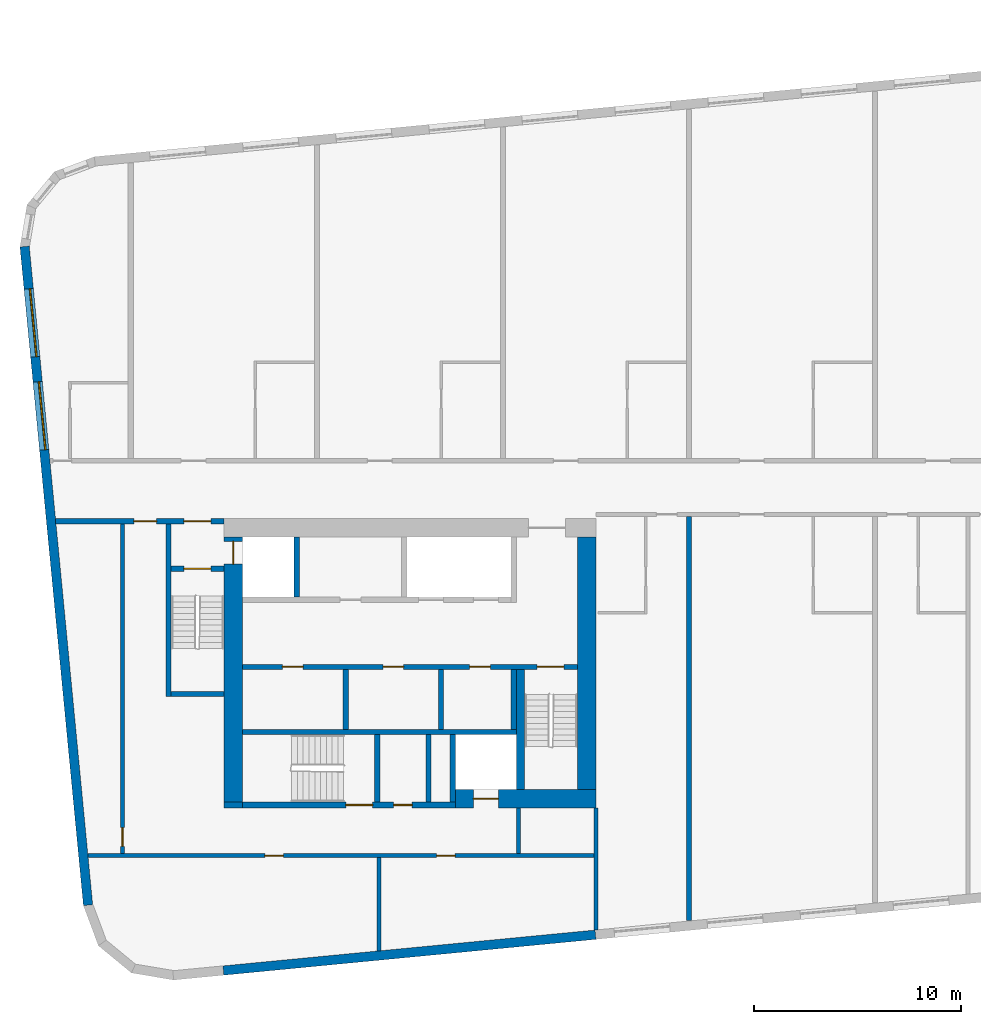
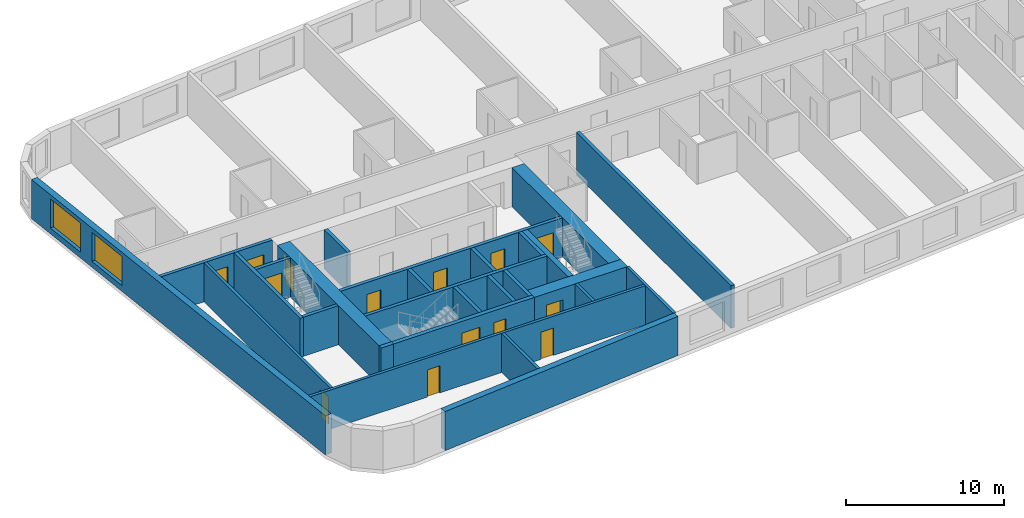
# One storey, part 2 of 11: 27 walls, 14 doors, 2 windows, 16 openings.
"""IFC4 building model written with IfcOpenShell, lengths in metres."""

from ifc_helpers import new_model, si_unit, direction, frame, frame_2d, origin, place, context, subcontext, project, spatial, rectangle, extrude, material, layer, layer_set, type_object, element, fill, save


model = new_model("IFC4")

# Units and contexts
model_context = context("Model", 3, precision=1e-05, world=origin(), true_north=direction((0.0, 1.0)))
body_context = subcontext(model_context, "Body", "Model", "MODEL_VIEW")
ifc_project = project(units=[si_unit("LENGTHUNIT", "METRE"), si_unit("AREAUNIT", "SQUARE_METRE"), si_unit("VOLUMEUNIT", "CUBIC_METRE"), si_unit("PLANEANGLEUNIT", "RADIAN"), si_unit("MASSUNIT", "GRAM", prefix="KILO")], contexts=[model_context])

# Site, building, storey
site_placement = place(None, origin())
site = spatial("IfcSite", under=ifc_project, at=site_placement, CompositionType="ELEMENT")
building_placement = place(site_placement, origin())
building = spatial("IfcBuilding", under=site, at=building_placement, Name="Kajstack Hotel Tower", CompositionType="ELEMENT")
storey_placement = place(building_placement, frame((0.0, 0.0, 281.699951171875)))
storey = spatial("IfcBuildingStorey", under=building, at=storey_placement, Name="L70", CompositionType="ELEMENT", Elevation=281.699951171875)

# Wall, opening, door
ifc_material_1 = material(Name="Concrete C60/75", Category="concrete")
ifc_layer_1 = layer(ifc_material_1, 0.89990234375)
ifc_layer_set_1 = layer_set([ifc_layer_1], Name="Core wall 900")
wall_type_1 = type_object("IfcWallType", Name="Core wall 900", PredefinedType="SHEAR", material=ifc_layer_set_1)
wall_1_placement = place(storey_placement, frame((-20.300048828125, -15.050048828125, 0.0), z_axis=(0.0, 0.0, 1.0), x_axis=(1.0, 0.0, 0.0)))
wall_1 = element("IfcWall", 1, at=wall_1_placement, inside=storey, type_object=wall_type_1, Name="Core wall W RS", PredefinedType="SHEAR", context=body_context, shape_type="SweptSolid", body=[
    extrude(rectangle(XDim=6.800048828125, YDim=0.89990234375, at=frame_2d((3.39990234375, 0.0))), origin(), (0.0, 0.0, 1.0), 3.02001953125),
])
opening_1_placement = place(wall_1_placement, frame((0.875, 0.0, 0.0)))
opening_1 = element("IfcOpeningElement", 2, at=opening_1_placement, cuts=wall_1, Name="Opening LD-SV1", PredefinedType="OPENING", context=body_context, shape_type="SweptSolid", body=[
    extrude(rectangle(XDim=1.199951171875, YDim=2.10009765625, at=frame_2d((0.60009765625, 1.050048828125))), frame((0.0, 0.4599609375, 0.0), z_axis=(0.0, -1.0, 0.0), x_axis=(1.0, 0.0, 0.0)), (0.0, 0.0, 1.0), 0.919921875),
])
ifc_material_2 = material(Name="Stainless steel", Category="steel")
door_type_1 = type_object("IfcDoorType", Name="Lift landing door 1200", OperationType="SLIDING_TO_LEFT", PredefinedType="DOOR", material=ifc_material_2)
door_1_placement = place(opening_1_placement, origin())
door_1 = element("IfcDoor", 3, at=door_1_placement, inside=storey, type_object=door_type_1, Name="Landing door SV1", OperationType="SLIDING_TO_LEFT", OverallHeight=2.10009765625, OverallWidth=1.199951171875, PredefinedType="DOOR", context=body_context, shape_type="SweptSolid", body=[
    extrude(rectangle(XDim=1.199951171875, YDim=2.10009765625, at=frame_2d((0.60009765625, 1.050048828125))), frame((0.0, 0.02490234375, 0.0), z_axis=(0.0, -1.0, 0.0), x_axis=(1.0, 0.0, 0.0)), (0.0, 0.0, 1.0), 0.050048828125),
])
fill(opening_1, door_1)

# Wall
wall_2_placement = place(storey_placement, frame((-31.5, -15.35009765625, 0.0), z_axis=(0.0, 0.0, 1.0), x_axis=(1.0, 0.0, 0.0)))
element("IfcWall", 4, at=wall_2_placement, inside=storey, type_object=wall_type_1, Name="Core wall W RSW", PredefinedType="SHEAR", context=body_context, shape_type="SweptSolid", body=[
    extrude(rectangle(XDim=0.89990234375, YDim=0.300048828125, at=frame_2d((0.449951171875, 0.0))), origin(), (0.0, 0.0, 1.0), 3.02001953125),
])

# Wall, opening, door
wall_3_placement = place(storey_placement, frame((-31.050048828125, -15.199951171875, 0.0), z_axis=(0.0, 0.0, 1.0), x_axis=(0.0, 1.0, 0.0)))
wall_3 = element("IfcWall", 5, at=wall_3_placement, inside=storey, type_object=wall_type_1, Name="Core wall W RW", PredefinedType="SHEAR", context=body_context, shape_type="SweptSolid", body=[
    extrude(rectangle(XDim=12.800048828125, YDim=0.89990234375, at=frame_2d((6.39990234375, 0.0))), origin(), (0.0, 0.0, 1.0), 3.02001953125),
])
opening_2_placement = place(wall_3_placement, frame((11.5, 0.0, 0.0)))
opening_2 = element("IfcOpeningElement", 6, at=opening_2_placement, cuts=wall_3, Name="Opening LD-FF1", PredefinedType="OPENING", context=body_context, shape_type="SweptSolid", body=[
    extrude(rectangle(XDim=1.10009765625, YDim=2.10009765625, at=frame_2d((0.550048828125, 1.050048828125))), frame((0.0, 0.4599609375, 0.0), z_axis=(0.0, -1.0, 0.0), x_axis=(1.0, 0.0, 0.0)), (0.0, 0.0, 1.0), 0.919921875),
])
door_type_2 = type_object("IfcDoorType", Name="Fire-fighting lift landing door 1100", OperationType="SLIDING_TO_LEFT", PredefinedType="DOOR", material=ifc_material_2)
door_2_placement = place(opening_2_placement, origin())
door_2 = element("IfcDoor", 7, at=door_2_placement, inside=storey, type_object=door_type_2, Name="Landing door FF1", OperationType="SLIDING_TO_RIGHT", OverallHeight=2.10009765625, OverallWidth=1.10009765625, PredefinedType="DOOR", context=body_context, shape_type="SweptSolid", body=[
    extrude(rectangle(XDim=1.10009765625, YDim=2.10009765625, at=frame_2d((0.550048828125, 1.050048828125))), frame((0.0, 0.02490234375, 0.0), z_axis=(0.0, -1.0, 0.0), x_axis=(1.0, 0.0, 0.0)), (0.0, 0.0, 1.0), 0.050048828125),
])
fill(opening_2, door_2)

# Walls
wall_4_placement = place(storey_placement, frame((-13.949951171875, -14.60009765625, 0.0), z_axis=(0.0, 0.0, 1.0), x_axis=(0.0, 1.0, 0.0)))
element("IfcWall", 8, at=wall_4_placement, inside=storey, type_object=wall_type_1, Name="Core wall W RE", PredefinedType="SHEAR", context=body_context, shape_type="SweptSolid", body=[
    extrude(rectangle(XDim=12.2001953125, YDim=0.89990234375, at=frame_2d((6.10009765625, 0.0))), origin(), (0.0, 0.0, 1.0), 3.02001953125),
])
ifc_material_3 = material(Name="Twin-frame gypsum board on steel studs, mineral wool", Category="steel")
ifc_layer_2 = layer(ifc_material_3, 0.199951171875)
ifc_layer_set_2 = layer_set([ifc_layer_2], Name="Demising wall 200")
wall_type_2 = type_object("IfcWallType", Name="Demising wall 200", PredefinedType="PARTITIONING", material=ifc_layer_set_2)
wall_5_placement = place(storey_placement, frame((-13.5, -21.39599609375, 0.0), z_axis=(0.0, 0.0, 1.0), x_axis=(0.0, 1.0, 0.0)))
element("IfcWall", 9, at=wall_5_placement, inside=storey, type_object=wall_type_2, Name="G-wall-L70-002", PredefinedType="PARTITIONING", context=body_context, shape_type="SweptSolid", body=[
    extrude(rectangle(XDim=5.89599609375, YDim=0.199951171875, at=frame_2d((2.947998046875, 0.0))), origin(), (0.0, 0.0, 1.0), 3.02001953125),
])
ifc_material_4 = material(Name="Concrete C40/50", Category="concrete")
ifc_layer_3 = layer(ifc_material_4, 0.449951171875)
ifc_layer_set_3 = layer_set([ifc_layer_3], Name="EW-CORE")
wall_type_3 = type_object("IfcWallType", Name="EW-CORE", PredefinedType="SOLIDWALL", material=ifc_layer_set_3)
wall_6_placement = place(storey_placement, frame((-31.521484375, -23.357177734375, 0.0), z_axis=(0.0, 0.0, 1.0), x_axis=(0.995396454615, 0.095843091245, 0.0)))
element("IfcWall", 10, at=wall_6_placement, inside=storey, type_object=wall_type_3, Name="E-wall-L70-04-01", PredefinedType="SOLIDWALL", context=body_context, shape_type="SweptSolid", body=[
    extrude(rectangle(XDim=18.083251953125, YDim=0.449951171875, at=frame_2d((9.04150390625, 0.0))), origin(), (0.0, 0.0, 1.0), 3.02001953125),
])

# Wall, openings, windows
ifc_material_5 = material(Name="Terracotta-faced brick masonry", Category="masonry")
ifc_layer_4 = layer(ifc_material_5, 0.449951171875)
ifc_layer_set_4 = layer_set([ifc_layer_4], Name="EW-TERRA")
wall_type_4 = type_object("IfcWallType", Name="EW-TERRA", PredefinedType="SOLIDWALL", material=ifc_layer_set_4)
wall_7_placement = place(storey_placement, frame((-41.13232421875, 11.657958984375, 0.0), z_axis=(0.0, 0.0, 1.0), x_axis=(0.095847749461, -0.995396006082, 0.0)))
wall_7 = element("IfcWall", 11, at=wall_7_placement, inside=storey, type_object=wall_type_4, Name="E-wall-L70-00-00", PredefinedType="SOLIDWALL", context=body_context, shape_type="SweptSolid", body=[
    extrude(rectangle(XDim=32.0, YDim=0.449951171875, at=frame_2d((16.0, 0.0))), origin(), (0.0, 0.0, 1.0), 3.02001953125),
])
opening_3_placement = place(wall_7_placement, frame((2.053466796875, 0.0, 0.449951171875)))
opening_3 = element("IfcOpeningElement", 12, at=opening_3_placement, cuts=wall_7, Name="Opening W2", PredefinedType="OPENING", context=body_context, shape_type="SweptSolid", body=[
    extrude(rectangle(XDim=3.300048828125, YDim=2.25, at=frame_2d((1.64990234375, 1.125))), frame((0.0, 0.23486328125, 0.0), z_axis=(0.0, -1.0, 0.0), x_axis=(1.0, 0.0, 0.0)), (0.0, 0.0, 1.0), 0.469970703125),
])
opening_4_placement = place(wall_7_placement, frame((6.57421875, 0.0, 0.449951171875)))
opening_4 = element("IfcOpeningElement", 13, at=opening_4_placement, cuts=wall_7, Name="Opening W2", PredefinedType="OPENING", context=body_context, shape_type="SweptSolid", body=[
    extrude(rectangle(XDim=3.300048828125, YDim=2.25, at=frame_2d((1.64990234375, 1.125))), frame((0.0, 0.23486328125, 0.0), z_axis=(0.0, -1.0, 0.0), x_axis=(1.0, 0.0, 0.0)), (0.0, 0.0, 1.0), 0.469970703125),
])
ifc_material_6 = material(Name="Timber-aluminium window, triple glazed", Category="wood")
window_type = type_object("IfcWindowType", Name="WG2", PartitioningType="SINGLE_PANEL", PredefinedType="WINDOW", material=ifc_material_6)
window_1_placement = place(opening_3_placement, origin())
window_1 = element("IfcWindow", 14, at=window_1_placement, inside=storey, type_object=window_type, Name="Window W2 L70-00", OverallHeight=2.25, OverallWidth=3.300048828125, PartitioningType="SINGLE_PANEL", PredefinedType="WINDOW", context=body_context, shape_type="SweptSolid", body=[
    extrude(rectangle(XDim=3.300048828125, YDim=2.25, at=frame_2d((1.64990234375, 1.125))), frame((0.0, 0.090087890625, 0.0), z_axis=(0.0, -1.0, 0.0), x_axis=(1.0, 0.0, 0.0)), (0.0, 0.0, 1.0), 0.06005859375),
])
fill(opening_3, window_1)
window_2_placement = place(opening_4_placement, origin())
window_2 = element("IfcWindow", 15, at=window_2_placement, inside=storey, type_object=window_type, Name="Window W2 L70-00", OverallHeight=2.25, OverallWidth=3.300048828125, PartitioningType="SINGLE_PANEL", PredefinedType="WINDOW", context=body_context, shape_type="SweptSolid", body=[
    extrude(rectangle(XDim=3.300048828125, YDim=2.25, at=frame_2d((1.64990234375, 1.125))), frame((0.0, 0.090087890625, 0.0), z_axis=(0.0, -1.0, 0.0), x_axis=(1.0, 0.0, 0.0)), (0.0, 0.0, 1.0), 0.06005859375),
])
fill(opening_4, window_2)

# Walls
ifc_layer_5 = layer(ifc_material_4, 0.25)
ifc_layer_set_5 = layer_set([ifc_layer_5], Name="RC cross wall 250 C40/50")
wall_type_5 = type_object("IfcWallType", Name="RC cross wall 250 C40/50", PredefinedType="SHEAR", material=ifc_layer_set_5)
wall_8_placement = place(storey_placement, frame((-9.0, -20.9404296875, 0.0), z_axis=(0.0, 0.0, 1.0), x_axis=(0.0, 1.0, 0.0)))
element("IfcWall", 16, at=wall_8_placement, inside=storey, type_object=wall_type_5, Name="S-wall-L70-04", PredefinedType="SHEAR", context=body_context, shape_type="SweptSolid", body=[
    extrude(rectangle(XDim=19.54052734375, YDim=0.25, at=frame_2d((9.770263671875, 0.0))), origin(), (0.0, 0.0, 1.0), 3.300048828125),
])
ifc_material_7 = material(Name="Concrete block masonry", Category="masonry")
ifc_layer_6 = layer(ifc_material_7, 0.25)
ifc_layer_set_6 = layer_set([ifc_layer_6], Name="Riser partition 250")
wall_type_6 = type_object("IfcWallType", Name="Riser partition 250", PredefinedType="PARTITIONING", material=ifc_layer_set_6)
for number, where, z_axis, x_axis, name in (
    (17, (-25.60009765625, -11.699951171875, 0.0), (0.0, 0.0, 1.0), (0.0, 1.0, 0.0), "Partition W BF0"),
    (18, (-21.0, -11.699951171875, 0.0), (0.0, 0.0, 1.0), (0.0, 1.0, 0.0), "Partition W BF1"),
):
    element("IfcWall", number, at=place(storey_placement, frame(where, z_axis=z_axis, x_axis=x_axis)), inside=storey, type_object=wall_type_6, Name=name, PredefinedType="PARTITIONING", context=body_context, shape_type="SweptSolid", body=[
        extrude(rectangle(XDim=2.89990234375, YDim=0.25, at=frame_2d((1.449951171875, 0.0))), origin(), (0.0, 0.0, 1.0), 3.02001953125),
    ])
wall_9_placement = place(storey_placement, frame((-21.60009765625, -15.199951171875, 0.0), z_axis=(0.0, 0.0, 1.0), x_axis=(0.0, 1.0, 0.0)))
element("IfcWall", 19, at=wall_9_placement, inside=storey, type_object=wall_type_6, Name="Partition W SZ0", PredefinedType="PARTITIONING", context=body_context, shape_type="SweptSolid", body=[
    extrude(rectangle(XDim=3.25, YDim=0.25, at=frame_2d((1.625, 0.0))), origin(), (0.0, 0.0, 1.0), 3.02001953125),
])

# Wall, openings, doors
ifc_material_8 = material(Name="Gypsum board on steel studs, mineral wool", Category="steel")
ifc_layer_7 = layer(ifc_material_8, 0.199951171875)
ifc_layer_set_7 = layer_set([ifc_layer_7], Name="Service partition 200")
wall_type_7 = type_object("IfcWallType", Name="Service partition 200", PredefinedType="PARTITIONING", material=ifc_layer_set_7)
wall_10_placement = place(storey_placement, frame((-39.627197265625, -1.625, 0.0), z_axis=(0.0, 0.0, 1.0), x_axis=(1.0, 0.0, 0.0)))
wall_10 = element("IfcWall", 20, at=wall_10_placement, inside=storey, type_object=wall_type_7, Name="Partition W SN", PredefinedType="PARTITIONING", context=body_context, shape_type="SweptSolid", body=[
    extrude(rectangle(XDim=8.127197265625, YDim=0.25, at=frame_2d((4.0634765625, 0.0))), origin(), (0.0, 0.0, 1.0), 3.02001953125),
])
opening_5_placement = place(wall_10_placement, frame((6.202392578125, 0.0, 0.0)))
opening_5 = element("IfcOpeningElement", 21, at=opening_5_placement, cuts=wall_10, Name="Opening 70W06", PredefinedType="OPENING", context=body_context, shape_type="SweptSolid", body=[
    extrude(rectangle(XDim=1.300048828125, YDim=2.10009765625, at=frame_2d((0.64990234375, 1.050048828125))), frame((0.0, 0.135009765625, 0.0), z_axis=(0.0, -1.0, 0.0), x_axis=(1.0, 0.0, 0.0)), (0.0, 0.0, 1.0), 0.27001953125),
])
opening_6_placement = place(wall_10_placement, frame((3.77734375, 0.0, 0.0)))
opening_6 = element("IfcOpeningElement", 22, at=opening_6_placement, cuts=wall_10, Name="Opening 70W08", PredefinedType="OPENING", context=body_context, shape_type="SweptSolid", body=[
    extrude(rectangle(XDim=1.10009765625, YDim=2.10009765625, at=frame_2d((0.550048828125, 1.050048828125))), frame((0.0, 0.135009765625, 0.0), z_axis=(0.0, -1.0, 0.0), x_axis=(1.0, 0.0, 0.0)), (0.0, 0.0, 1.0), 0.27001953125),
])
ifc_material_9 = material(Name="Steel leaf, fire-rated", Category="steel")
door_type_3 = type_object("IfcDoorType", Name="Fire lobby door 1300", OperationType="SINGLE_SWING_LEFT", PredefinedType="DOOR", material=ifc_material_9)
door_3_placement = place(opening_5_placement, origin())
door_3 = element("IfcDoor", 23, at=door_3_placement, inside=storey, type_object=door_type_3, Name="Door 70W06", OperationType="SINGLE_SWING_RIGHT", OverallHeight=2.10009765625, OverallWidth=1.300048828125, PredefinedType="DOOR", context=body_context, shape_type="SweptSolid", body=[
    extrude(rectangle(XDim=1.300048828125, YDim=2.10009765625, at=frame_2d((0.64990234375, 1.050048828125))), frame((0.0, 0.02490234375, 0.0), z_axis=(0.0, -1.0, 0.0), x_axis=(1.0, 0.0, 0.0)), (0.0, 0.0, 1.0), 0.050048828125),
])
fill(opening_5, door_3)
ifc_material_10 = material(Name="Timber leaf, fire-rated", Category="wood")
door_type_4 = type_object("IfcDoorType", Name="Service corridor door 1100", OperationType="SINGLE_SWING_LEFT", PredefinedType="DOOR", material=ifc_material_10)
door_4_placement = place(opening_6_placement, origin())
door_4 = element("IfcDoor", 24, at=door_4_placement, inside=storey, type_object=door_type_4, Name="Door 70W08", OperationType="SINGLE_SWING_RIGHT", OverallHeight=2.10009765625, OverallWidth=1.10009765625, PredefinedType="DOOR", context=body_context, shape_type="SweptSolid", body=[
    extrude(rectangle(XDim=1.10009765625, YDim=2.10009765625, at=frame_2d((0.550048828125, 1.050048828125))), frame((0.0, 0.02490234375, 0.0), z_axis=(0.0, -1.0, 0.0), x_axis=(1.0, 0.0, 0.0)), (0.0, 0.0, 1.0), 0.050048828125),
])
fill(opening_6, door_4)

# Wall
wall_11_placement = place(storey_placement, frame((-17.25, -17.699951171875, 0.0), z_axis=(0.0, 0.0, 1.0), x_axis=(0.0, 1.0, 0.0)))
element("IfcWall", 25, at=wall_11_placement, inside=storey, type_object=wall_type_7, Name="Partition W SCE", PredefinedType="PARTITIONING", context=body_context, shape_type="SweptSolid", body=[
    extrude(rectangle(XDim=2.199951171875, YDim=0.199951171875, at=frame_2d((1.10009765625, 0.0))), origin(), (0.0, 0.0, 1.0), 3.02001953125),
])

# Wall, opening, door
wall_12_placement = place(storey_placement, frame((-36.39990234375, -17.699951171875, 0.0), z_axis=(0.0, 0.0, 1.0), x_axis=(0.0, 1.0, 0.0)))
wall_12 = element("IfcWall", 26, at=wall_12_placement, inside=storey, type_object=wall_type_7, Name="Partition W WRE", PredefinedType="PARTITIONING", context=body_context, shape_type="SweptSolid", body=[
    extrude(rectangle(XDim=15.949951171875, YDim=0.199951171875, at=frame_2d((7.97509765625, 0.0))), origin(), (0.0, 0.0, 1.0), 3.02001953125),
])
opening_7_placement = place(wall_12_placement, frame((0.35009765625, 0.0, 0.0)))
opening_7 = element("IfcOpeningElement", 27, at=opening_7_placement, cuts=wall_12, Name="Opening 70W18", PredefinedType="OPENING", context=body_context, shape_type="SweptSolid", body=[
    extrude(rectangle(XDim=0.89990234375, YDim=2.10009765625, at=frame_2d((0.449951171875, 1.050048828125))), frame((0.0, 0.10986328125, 0.0), z_axis=(0.0, -1.0, 0.0), x_axis=(1.0, 0.0, 0.0)), (0.0, 0.0, 1.0), 0.219970703125),
])
door_type_5 = type_object("IfcDoorType", Name="Service door 900", OperationType="SINGLE_SWING_LEFT", PredefinedType="DOOR", material=ifc_material_10)
door_5_placement = place(opening_7_placement, origin())
door_5 = element("IfcDoor", 28, at=door_5_placement, inside=storey, type_object=door_type_5, Name="Door 70W18", OperationType="SINGLE_SWING_LEFT", OverallHeight=2.10009765625, OverallWidth=0.89990234375, PredefinedType="DOOR", context=body_context, shape_type="SweptSolid", body=[
    extrude(rectangle(XDim=0.89990234375, YDim=2.10009765625, at=frame_2d((0.449951171875, 1.050048828125))), frame((0.0, 0.02490234375, 0.0), z_axis=(0.0, -1.0, 0.0), x_axis=(1.0, 0.0, 0.0)), (0.0, 0.0, 1.0), 0.050048828125),
])
fill(opening_7, door_5)

# Wall, openings, doors
wall_13_placement = place(storey_placement, frame((-38.06982421875, -17.800048828125, 0.0), z_axis=(0.0, 0.0, 1.0), x_axis=(1.0, 0.0, 0.0)))
wall_13 = element("IfcWall", 29, at=wall_13_placement, inside=storey, type_object=wall_type_7, Name="Partition W SLN", PredefinedType="PARTITIONING", context=body_context, shape_type="SweptSolid", body=[
    extrude(rectangle(XDim=24.4697265625, YDim=0.199951171875, at=frame_2d((12.23486328125, 0.0))), origin(), (0.0, 0.0, 1.0), 3.02001953125),
])
opening_8_placement = place(wall_13_placement, frame((8.557373046875, 0.0, 0.0)))
opening_8 = element("IfcOpeningElement", 30, at=opening_8_placement, cuts=wall_13, Name="Opening 70W16", PredefinedType="OPENING", context=body_context, shape_type="SweptSolid", body=[
    extrude(rectangle(XDim=0.89990234375, YDim=2.10009765625, at=frame_2d((0.449951171875, 1.050048828125))), frame((0.0, 0.10986328125, 0.0), z_axis=(0.0, -1.0, 0.0), x_axis=(1.0, 0.0, 0.0)), (0.0, 0.0, 1.0), 0.219970703125),
])
opening_9_placement = place(wall_13_placement, frame((16.857421875, 0.0, 0.0)))
opening_9 = element("IfcOpeningElement", 31, at=opening_9_placement, cuts=wall_13, Name="Opening 70W17", PredefinedType="OPENING", context=body_context, shape_type="SweptSolid", body=[
    extrude(rectangle(XDim=0.89990234375, YDim=2.10009765625, at=frame_2d((0.449951171875, 1.050048828125))), frame((0.0, 0.10986328125, 0.0), z_axis=(0.0, -1.0, 0.0), x_axis=(1.0, 0.0, 0.0)), (0.0, 0.0, 1.0), 0.219970703125),
])
door_6_placement = place(opening_8_placement, origin())
door_6 = element("IfcDoor", 32, at=door_6_placement, inside=storey, type_object=door_type_5, Name="Door 70W16", OperationType="SINGLE_SWING_RIGHT", OverallHeight=2.10009765625, OverallWidth=0.89990234375, PredefinedType="DOOR", context=body_context, shape_type="SweptSolid", body=[
    extrude(rectangle(XDim=0.89990234375, YDim=2.10009765625, at=frame_2d((0.449951171875, 1.050048828125))), frame((0.0, 0.02490234375, 0.0), z_axis=(0.0, -1.0, 0.0), x_axis=(1.0, 0.0, 0.0)), (0.0, 0.0, 1.0), 0.050048828125),
])
fill(opening_8, door_6)
door_7_placement = place(opening_9_placement, origin())
door_7 = element("IfcDoor", 33, at=door_7_placement, inside=storey, type_object=door_type_5, Name="Door 70W17", OperationType="SINGLE_SWING_RIGHT", OverallHeight=2.10009765625, OverallWidth=0.89990234375, PredefinedType="DOOR", context=body_context, shape_type="SweptSolid", body=[
    extrude(rectangle(XDim=0.89990234375, YDim=2.10009765625, at=frame_2d((0.449951171875, 1.050048828125))), frame((0.0, 0.02490234375, 0.0), z_axis=(0.0, -1.0, 0.0), x_axis=(1.0, 0.0, 0.0)), (0.0, 0.0, 1.0), 0.050048828125),
])
fill(opening_9, door_7)

# Wall
wall_14_placement = place(storey_placement, frame((-24.0, -22.407958984375, 0.0), z_axis=(0.0, 0.0, 1.0), x_axis=(0.0, 1.0, 0.0)))
element("IfcWall", 34, at=wall_14_placement, inside=storey, type_object=wall_type_7, Name="Partition W SLP0", PredefinedType="PARTITIONING", context=body_context, shape_type="SweptSolid", body=[
    extrude(rectangle(XDim=4.508056640625, YDim=0.199951171875, at=frame_2d((2.25390625, 0.0))), origin(), (0.0, 0.0, 1.0), 3.02001953125),
])

# Wall, openings, doors
ifc_material_11 = material(Name="Concrete C50/60", Category="concrete")
ifc_layer_8 = layer(ifc_material_11, 0.25)
ifc_layer_set_8 = layer_set([ifc_layer_8], Name="Shaft wall 250")
wall_type_8 = type_object("IfcWallType", Name="Shaft wall 250", PredefinedType="SHEAR", material=ifc_layer_set_8)
wall_15_placement = place(storey_placement, frame((-30.60009765625, -15.35009765625, 0.0), z_axis=(0.0, 0.0, 1.0), x_axis=(1.0, 0.0, 0.0)))
wall_15 = element("IfcWall", 35, at=wall_15_placement, inside=storey, type_object=wall_type_8, Name="Core wall W RSS", PredefinedType="SHEAR", context=body_context, shape_type="SweptSolid", body=[
    extrude(rectangle(XDim=10.300048828125, YDim=0.300048828125, at=frame_2d((5.14990234375, 0.0))), origin(), (0.0, 0.0, 1.0), 3.02001953125),
])
opening_10_placement = place(wall_15_placement, frame((5.0, 0.0, 0.0)))
opening_10 = element("IfcOpeningElement", 36, at=opening_10_placement, cuts=wall_15, Name="Opening 70W10", PredefinedType="OPENING", context=body_context, shape_type="SweptSolid", body=[
    extrude(rectangle(XDim=1.300048828125, YDim=2.10009765625, at=frame_2d((0.64990234375, 1.050048828125))), frame((0.0, 0.159912109375, 0.0), z_axis=(0.0, -1.0, 0.0), x_axis=(1.0, 0.0, 0.0)), (0.0, 0.0, 1.0), 0.320068359375),
])
opening_11_placement = place(wall_15_placement, frame((7.3125, 0.0, 0.0)))
opening_11 = element("IfcOpeningElement", 37, at=opening_11_placement, cuts=wall_15, Name="Opening 70W11", PredefinedType="OPENING", context=body_context, shape_type="SweptSolid", body=[
    extrude(rectangle(XDim=0.89990234375, YDim=2.10009765625, at=frame_2d((0.449951171875, 1.050048828125))), frame((0.0, 0.159912109375, 0.0), z_axis=(0.0, -1.0, 0.0), x_axis=(1.0, 0.0, 0.0)), (0.0, 0.0, 1.0), 0.320068359375),
])
door_8_placement = place(opening_11_placement, origin())
door_8 = element("IfcDoor", 38, at=door_8_placement, inside=storey, type_object=door_type_5, Name="Door 70W11", OperationType="SINGLE_SWING_LEFT", OverallHeight=2.10009765625, OverallWidth=0.89990234375, PredefinedType="DOOR", context=body_context, shape_type="SweptSolid", body=[
    extrude(rectangle(XDim=0.89990234375, YDim=2.10009765625, at=frame_2d((0.449951171875, 1.050048828125))), frame((0.0, 0.02490234375, 0.0), z_axis=(0.0, -1.0, 0.0), x_axis=(1.0, 0.0, 0.0)), (0.0, 0.0, 1.0), 0.050048828125),
])
fill(opening_11, door_8)
door_type_6 = type_object("IfcDoorType", Name="Stair door 1300", OperationType="SINGLE_SWING_LEFT", PredefinedType="DOOR", material=ifc_material_9)
door_9_placement = place(opening_10_placement, origin())
door_9 = element("IfcDoor", 39, at=door_9_placement, inside=storey, type_object=door_type_6, Name="Door 70W10", OperationType="SINGLE_SWING_RIGHT", OverallHeight=2.10009765625, OverallWidth=1.300048828125, PredefinedType="DOOR", context=body_context, shape_type="SweptSolid", body=[
    extrude(rectangle(XDim=1.300048828125, YDim=2.10009765625, at=frame_2d((0.64990234375, 1.050048828125))), frame((0.0, 0.02490234375, 0.0), z_axis=(0.0, -1.0, 0.0), x_axis=(1.0, 0.0, 0.0)), (0.0, 0.0, 1.0), 0.050048828125),
])
fill(opening_10, door_9)

# Wall
wall_16_placement = place(storey_placement, frame((-27.97509765625, -5.300048828125, 0.0), z_axis=(0.0, 0.0, 1.0), x_axis=(0.0, 1.0, 0.0)))
element("IfcWall", 40, at=wall_16_placement, inside=storey, type_object=wall_type_8, Name="Core wall W AP0", PredefinedType="SHEAR", context=body_context, shape_type="SweptSolid", body=[
    extrude(rectangle(XDim=2.900146484375, YDim=0.25, at=frame_2d((1.4501953125, 0.0))), origin(), (0.0, 0.0, 1.0), 3.02001953125),
])

# Wall, openings, doors
wall_17_placement = place(storey_placement, frame((-30.60009765625, -8.675048828125, 0.0), z_axis=(0.0, 0.0, 1.0), x_axis=(1.0, 0.0, 0.0)))
wall_17 = element("IfcWall", 41, at=wall_17_placement, inside=storey, type_object=wall_type_8, Name="Core wall W FB", PredefinedType="SHEAR", context=body_context, shape_type="SweptSolid", body=[
    extrude(rectangle(XDim=16.2001953125, YDim=0.25, at=frame_2d((8.10009765625, 0.0))), origin(), (0.0, 0.0, 1.0), 3.02001953125),
])
opening_12_placement = place(wall_17_placement, frame((14.25, 0.0, 0.0)))
opening_12 = element("IfcOpeningElement", 42, at=opening_12_placement, cuts=wall_17, Name="Opening 70W09", PredefinedType="OPENING", context=body_context, shape_type="SweptSolid", body=[
    extrude(rectangle(XDim=1.300048828125, YDim=2.10009765625, at=frame_2d((0.64990234375, 1.050048828125))), frame((0.0, 0.135009765625, 0.0), z_axis=(0.0, -1.0, 0.0), x_axis=(1.0, 0.0, 0.0)), (0.0, 0.0, 1.0), 0.27001953125),
])
opening_13_placement = place(wall_17_placement, frame((1.9375, 0.0, 0.0)))
opening_13 = element("IfcOpeningElement", 43, at=opening_13_placement, cuts=wall_17, Name="Opening 70W12", PredefinedType="OPENING", context=body_context, shape_type="SweptSolid", body=[
    extrude(rectangle(XDim=1.0, YDim=2.10009765625, at=frame_2d((0.5, 1.050048828125))), frame((0.0, 0.135009765625, 0.0), z_axis=(0.0, -1.0, 0.0), x_axis=(1.0, 0.0, 0.0)), (0.0, 0.0, 1.0), 0.27001953125),
])
opening_14_placement = place(wall_17_placement, frame((6.800048828125, 0.0, 0.0)))
opening_14 = element("IfcOpeningElement", 44, at=opening_14_placement, cuts=wall_17, Name="Opening 70W13", PredefinedType="OPENING", context=body_context, shape_type="SweptSolid", body=[
    extrude(rectangle(XDim=1.0, YDim=2.10009765625, at=frame_2d((0.5, 1.050048828125))), frame((0.0, 0.135009765625, 0.0), z_axis=(0.0, -1.0, 0.0), x_axis=(1.0, 0.0, 0.0)), (0.0, 0.0, 1.0), 0.27001953125),
])
opening_15_placement = place(wall_17_placement, frame((10.987548828125, 0.0, 0.0)))
opening_15 = element("IfcOpeningElement", 45, at=opening_15_placement, cuts=wall_17, Name="Opening 70W14", PredefinedType="OPENING", context=body_context, shape_type="SweptSolid", body=[
    extrude(rectangle(XDim=1.0, YDim=2.10009765625, at=frame_2d((0.5, 1.050048828125))), frame((0.0, 0.135009765625, 0.0), z_axis=(0.0, -1.0, 0.0), x_axis=(1.0, 0.0, 0.0)), (0.0, 0.0, 1.0), 0.27001953125),
])
door_type_7 = type_object("IfcDoorType", Name="Service room door 1000", OperationType="SINGLE_SWING_LEFT", PredefinedType="DOOR", material=ifc_material_10)
door_10_placement = place(opening_13_placement, origin())
door_10 = element("IfcDoor", 46, at=door_10_placement, inside=storey, type_object=door_type_7, Name="Door 70W12", OperationType="SINGLE_SWING_RIGHT", OverallHeight=2.10009765625, OverallWidth=1.0, PredefinedType="DOOR", context=body_context, shape_type="SweptSolid", body=[
    extrude(rectangle(XDim=1.0, YDim=2.10009765625, at=frame_2d((0.5, 1.050048828125))), frame((0.0, 0.02490234375, 0.0), z_axis=(0.0, -1.0, 0.0), x_axis=(1.0, 0.0, 0.0)), (0.0, 0.0, 1.0), 0.050048828125),
])
fill(opening_13, door_10)
door_11_placement = place(opening_14_placement, origin())
door_11 = element("IfcDoor", 47, at=door_11_placement, inside=storey, type_object=door_type_7, Name="Door 70W13", OperationType="SINGLE_SWING_RIGHT", OverallHeight=2.10009765625, OverallWidth=1.0, PredefinedType="DOOR", context=body_context, shape_type="SweptSolid", body=[
    extrude(rectangle(XDim=1.0, YDim=2.10009765625, at=frame_2d((0.5, 1.050048828125))), frame((0.0, 0.02490234375, 0.0), z_axis=(0.0, -1.0, 0.0), x_axis=(1.0, 0.0, 0.0)), (0.0, 0.0, 1.0), 0.050048828125),
])
fill(opening_14, door_11)
door_12_placement = place(opening_15_placement, origin())
door_12 = element("IfcDoor", 48, at=door_12_placement, inside=storey, type_object=door_type_7, Name="Door 70W14", OperationType="SINGLE_SWING_RIGHT", OverallHeight=2.10009765625, OverallWidth=1.0, PredefinedType="DOOR", context=body_context, shape_type="SweptSolid", body=[
    extrude(rectangle(XDim=1.0, YDim=2.10009765625, at=frame_2d((0.5, 1.050048828125))), frame((0.0, 0.02490234375, 0.0), z_axis=(0.0, -1.0, 0.0), x_axis=(1.0, 0.0, 0.0)), (0.0, 0.0, 1.0), 0.050048828125),
])
fill(opening_15, door_12)
door_13_placement = place(opening_12_placement, origin())
door_13 = element("IfcDoor", 49, at=door_13_placement, inside=storey, type_object=door_type_6, Name="Door 70W09", OperationType="SINGLE_SWING_RIGHT", OverallHeight=2.10009765625, OverallWidth=1.300048828125, PredefinedType="DOOR", context=body_context, shape_type="SweptSolid", body=[
    extrude(rectangle(XDim=1.300048828125, YDim=2.10009765625, at=frame_2d((0.64990234375, 1.050048828125))), frame((0.0, 0.02490234375, 0.0), z_axis=(0.0, -1.0, 0.0), x_axis=(1.0, 0.0, 0.0)), (0.0, 0.0, 1.0), 0.050048828125),
])
fill(opening_12, door_13)

# Walls
wall_18_placement = place(storey_placement, frame((-30.60009765625, -11.824951171875, 0.0), z_axis=(0.0, 0.0, 1.0), x_axis=(1.0, 0.0, 0.0)))
element("IfcWall", 50, at=wall_18_placement, inside=storey, type_object=wall_type_8, Name="Core wall W RB", PredefinedType="SHEAR", context=body_context, shape_type="SweptSolid", body=[
    extrude(rectangle(XDim=13.25, YDim=0.25, at=frame_2d((6.625, 0.0))), origin(), (0.0, 0.0, 1.0), 3.02001953125),
])
wall_19_placement = place(storey_placement, frame((-17.47509765625, -11.699951171875, 0.0), z_axis=(0.0, 0.0, 1.0), x_axis=(0.0, 1.0, 0.0)))
element("IfcWall", 51, at=wall_19_placement, inside=storey, type_object=wall_type_8, Name="Core wall W BE", PredefinedType="SHEAR", context=body_context, shape_type="SweptSolid", body=[
    extrude(rectangle(XDim=2.89990234375, YDim=0.25, at=frame_2d((1.449951171875, 0.0))), origin(), (0.0, 0.0, 1.0), 3.02001953125),
])
wall_20_placement = place(storey_placement, frame((-20.425048828125, -15.199951171875, 0.0), z_axis=(0.0, 0.0, 1.0), x_axis=(0.0, 1.0, 0.0)))
element("IfcWall", 52, at=wall_20_placement, inside=storey, type_object=wall_type_8, Name="Core wall W SVW", PredefinedType="SHEAR", context=body_context, shape_type="SweptSolid", body=[
    extrude(rectangle(XDim=3.25, YDim=0.25, at=frame_2d((1.625, 0.0))), origin(), (0.0, 0.0, 1.0), 3.02001953125),
])

# Wall, opening, door
ifc_layer_9 = layer(ifc_material_4, 0.25)
ifc_layer_set_9 = layer_set([ifc_layer_9], Name="Stair enclosure wall 250")
wall_type_9 = type_object("IfcWallType", Name="Stair enclosure wall 250", PredefinedType="SHEAR", material=ifc_layer_set_9)
wall_21_placement = place(storey_placement, frame((-34.050048828125, -3.925048828125, 0.0), z_axis=(0.0, 0.0, 1.0), x_axis=(1.0, 0.0, 0.0)))
wall_21 = element("IfcWall", 53, at=wall_21_placement, inside=storey, type_object=wall_type_9, Name="Core wall W W1N", PredefinedType="SHEAR", context=body_context, shape_type="SweptSolid", body=[
    extrude(rectangle(XDim=2.550048828125, YDim=0.25, at=frame_2d((1.27490234375, 0.0))), origin(), (0.0, 0.0, 1.0), 3.02001953125),
])
opening_16_placement = place(wall_21_placement, frame((0.625, 0.0, 0.0)))
opening_16 = element("IfcOpeningElement", 54, at=opening_16_placement, cuts=wall_21, Name="Opening 70W07", PredefinedType="OPENING", context=body_context, shape_type="SweptSolid", body=[
    extrude(rectangle(XDim=1.300048828125, YDim=2.10009765625, at=frame_2d((0.64990234375, 1.050048828125))), frame((0.0, 0.135009765625, 0.0), z_axis=(0.0, -1.0, 0.0), x_axis=(1.0, 0.0, 0.0)), (0.0, 0.0, 1.0), 0.27001953125),
])
door_14_placement = place(opening_16_placement, origin())
door_14 = element("IfcDoor", 55, at=door_14_placement, inside=storey, type_object=door_type_6, Name="Door 70W07", OperationType="SINGLE_SWING_RIGHT", OverallHeight=2.10009765625, OverallWidth=1.300048828125, PredefinedType="DOOR", context=body_context, shape_type="SweptSolid", body=[
    extrude(rectangle(XDim=1.300048828125, YDim=2.10009765625, at=frame_2d((0.64990234375, 1.050048828125))), frame((0.0, 0.02490234375, 0.0), z_axis=(0.0, -1.0, 0.0), x_axis=(1.0, 0.0, 0.0)), (0.0, 0.0, 1.0), 0.050048828125),
])
fill(opening_16, door_14)

# Walls
wall_22_placement = place(storey_placement, frame((-34.175048828125, -10.10009765625, 0.0), z_axis=(0.0, 0.0, 1.0), x_axis=(0.0, 1.0, 0.0)))
element("IfcWall", 56, at=wall_22_placement, inside=storey, type_object=wall_type_9, Name="Core wall W W1W", PredefinedType="SHEAR", context=body_context, shape_type="SweptSolid", body=[
    extrude(rectangle(XDim=8.35009765625, YDim=0.25, at=frame_2d((4.175048828125, 0.0))), origin(), (0.0, 0.0, 1.0), 3.02001953125),
])
wall_23_placement = place(storey_placement, frame((-34.050048828125, -9.97509765625, 0.0), z_axis=(0.0, 0.0, 1.0), x_axis=(1.0, 0.0, 0.0)))
element("IfcWall", 57, at=wall_23_placement, inside=storey, type_object=wall_type_9, Name="Core wall W W1S", PredefinedType="SHEAR", context=body_context, shape_type="SweptSolid", body=[
    extrude(rectangle(XDim=2.550048828125, YDim=0.25, at=frame_2d((1.27490234375, 0.0))), origin(), (0.0, 0.0, 1.0), 3.02001953125),
])
ifc_layer_10 = layer(ifc_material_11, 0.35009765625)
ifc_layer_set_10 = layer_set([ifc_layer_10], Name="Stair enclosure wall 350")
wall_type_10 = type_object("IfcWallType", Name="Stair enclosure wall 350", PredefinedType="SHEAR", material=ifc_layer_set_10)
wall_24_placement = place(storey_placement, frame((-24.074951171875, -15.199951171875, 0.0), z_axis=(0.0, 0.0, 1.0), x_axis=(0.0, 1.0, 0.0)))
element("IfcWall", 58, at=wall_24_placement, inside=storey, type_object=wall_type_10, Name="Core wall W W3E", PredefinedType="SHEAR", context=body_context, shape_type="SweptSolid", body=[
    extrude(rectangle(XDim=3.25, YDim=0.25, at=frame_2d((1.625, 0.0))), origin(), (0.0, 0.0, 1.0), 3.02001953125),
])
ifc_layer_11 = layer(ifc_material_11, 0.39990234375)
ifc_layer_set_11 = layer_set([ifc_layer_11], Name="Stair wall 400")
wall_type_11 = type_object("IfcWallType", Name="Stair wall 400", PredefinedType="SHEAR", material=ifc_layer_set_11)
wall_25_placement = place(storey_placement, frame((-17.14990234375, -14.60009765625, 0.0), z_axis=(0.0, 0.0, 1.0), x_axis=(0.0, 1.0, 0.0)))
element("IfcWall", 59, at=wall_25_placement, inside=storey, type_object=wall_type_11, Name="Core wall W WW2", PredefinedType="SHEAR", context=body_context, shape_type="SweptSolid", body=[
    extrude(rectangle(XDim=5.800048828125, YDim=0.39990234375, at=frame_2d((2.89990234375, 0.0))), origin(), (0.0, 0.0, 1.0), 3.02001953125),
])

save(model, "model.ifc")
